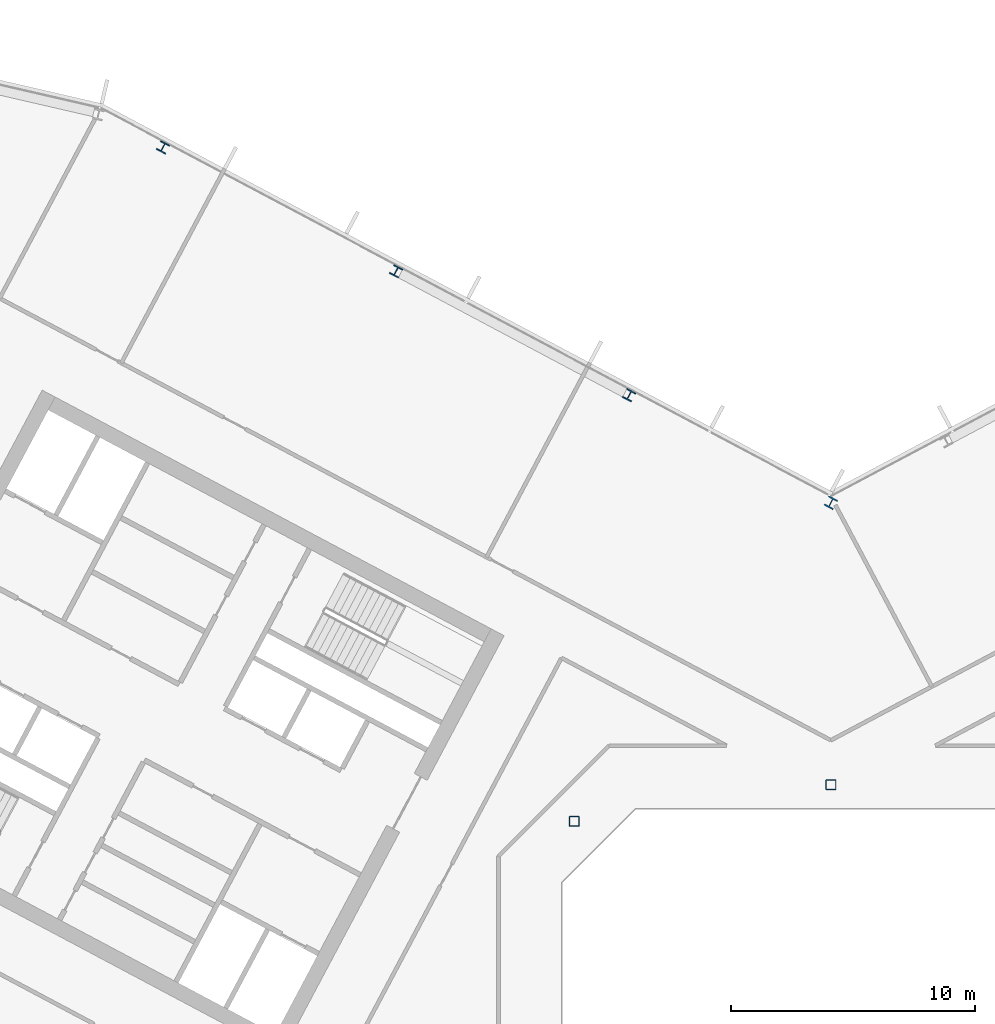
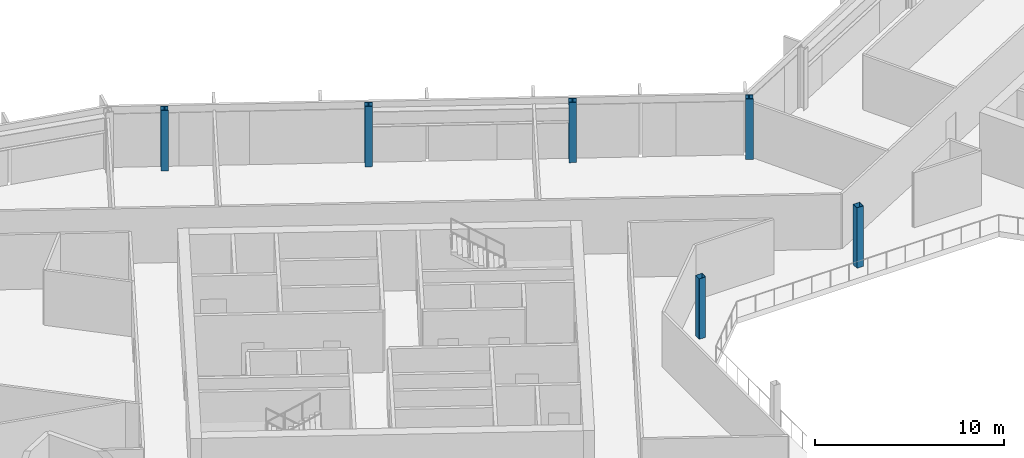
# One storey, part 4 of 27: 6 columns.
"""IFC4 building model written with IfcOpenShell, lengths in metres."""

from ifc_helpers import new_model, si_unit, direction, frame, origin, origin_2d, place, context, subcontext, project, spatial, hollow_rectangle, i_section, extrude, material, material_profile, profile_set, type_object, element, save


model = new_model("IFC4")

# Units and contexts
model_context = context("Model", 3, precision=1e-05, world=origin(), true_north=direction((0.0, 1.0)))
body_context = subcontext(model_context, "Body", "Model", "MODEL_VIEW")
ifc_project = project(units=[si_unit("LENGTHUNIT", "METRE"), si_unit("AREAUNIT", "SQUARE_METRE"), si_unit("VOLUMEUNIT", "CUBIC_METRE"), si_unit("PLANEANGLEUNIT", "RADIAN"), si_unit("MASSUNIT", "GRAM", prefix="KILO")], contexts=[model_context])

# Site, building, storey
site_placement = place(None, origin())
site = spatial("IfcSite", under=ifc_project, at=site_placement, CompositionType="ELEMENT")
building_placement = place(site_placement, origin())
building = spatial("IfcBuilding", under=site, at=building_placement, Name="Cormorant Relay Tower", CompositionType="ELEMENT")
storey_placement = place(building_placement, frame((0.0, 0.0, 224.699951171875)))
storey = spatial("IfcBuildingStorey", under=building, at=storey_placement, Name="L49", CompositionType="ELEMENT", Elevation=224.699951171875)

# Columns
ifc_material_1 = material(Name="Steel ASTM A500 Grade C (Fy 345 MPa)", Category="steel")
ifc_material_profile_1 = material_profile(ifc_material_1, hollow_rectangle(XDim=0.406494140625, YDim=0.406494140625, WallThickness=0.0146484375, InnerFilletRadius=0.00732421875, OuterFilletRadius=0.022216796875, at=origin_2d()), Name="HSS406x406x15")
ifc_profile_set_1 = profile_set([ifc_material_profile_1], Name="Steel ASTM A500 Grade C (Fy 345 MPa)")
column_type_1 = type_object("IfcColumnType", Name="Column HSS406x406x15", PredefinedType="COLUMN", material=ifc_profile_set_1)
for number, where, z_axis, x_axis, name in (
    (1, (-10.5, 10.5, 0.0), (0.0, 0.0, 1.0), (1.0, 0.0, 0.0), "Column L49-023"),
    (2, (0.0, 12.0, 0.0), (0.0, 0.0, 1.0), (1.0, 0.0, 0.0), "Column L49-025"),
):
    element("IfcColumn", number, at=place(storey_placement, frame(where, z_axis=z_axis, x_axis=x_axis)), inside=storey, type_object=column_type_1, Name=name, PredefinedType="COLUMN", context=body_context, shape_type="SweptSolid", body=[
        extrude(hollow_rectangle(XDim=0.406494140625, YDim=0.406494140625, WallThickness=0.0146484375, InnerFilletRadius=0.00732421875, OuterFilletRadius=0.022216796875, at=origin_2d()), origin(), (0.0, 0.0, 1.0), 3.900146484375),
    ])
ifc_material_2 = material(Name="Steel ASTM A992 (Fy 345 MPa)", Category="steel")
ifc_material_profile_2 = material_profile(ifc_material_2, i_section(OverallWidth=0.40380859375, OverallDepth=0.406494140625, WebThickness=0.027099609375, FlangeThickness=0.043701171875, FilletRadius=0.01513671875, at=origin_2d()), Name="W360x347")
ifc_profile_set_2 = profile_set([ifc_material_profile_2], Name="Steel ASTM A992 (Fy 345 MPa)")
column_type_2 = type_object("IfcColumnType", Name="Column W360x347", PredefinedType="COLUMN", material=ifc_profile_set_2)
for number, where, z_axis, x_axis, name in (
    (3, (-8.251953125, 27.93408203125, 0.0), (0.0, 0.0, 1.0), (-0.882947592859, 0.469471562786, 0.0), "Column L49-033"),
    (4, (-17.7880859375, 33.00390625, 0.0), (0.0, 0.0, 1.0), (-0.882947592859, 0.469471562786, 0.0), "Column L49-037"),
    (5, (-27.322998046875, 38.073974609375, 0.0), (0.0, 0.0, 1.0), (-0.882947592859, 0.469471562786, 0.0), "Column L49-040"),
):
    element("IfcColumn", number, at=place(storey_placement, frame(where, z_axis=z_axis, x_axis=x_axis)), inside=storey, type_object=column_type_2, Name=name, PredefinedType="COLUMN", context=body_context, shape_type="SweptSolid", body=[
        extrude(i_section(OverallWidth=0.40380859375, OverallDepth=0.406494140625, WebThickness=0.027099609375, FlangeThickness=0.043701171875, FilletRadius=0.01513671875, at=origin_2d()), origin(), (0.0, 0.0, 1.0), 3.900146484375),
    ])
ifc_material_3 = material(Name="Steel ASTM A992 (Fy 345 MPa)", Category="steel")
ifc_material_profile_3 = material_profile(ifc_material_3, i_section(OverallWidth=0.41162109375, OverallDepth=0.434326171875, WebThickness=0.035888671875, FlangeThickness=0.057373046875, FilletRadius=0.01513671875, at=origin_2d()), Name="W360x463")
ifc_profile_set_3 = profile_set([ifc_material_profile_3], Name="Steel ASTM A992 (Fy 345 MPa)")
column_type_3 = type_object("IfcColumnType", Name="Column W360x463", PredefinedType="COLUMN", material=ifc_profile_set_3)
column_placement = place(storey_placement, frame((0.0, 23.533935546875, 0.0), z_axis=(0.0, 0.0, 1.0), x_axis=(-0.882947592859, 0.469471562786, 0.0)))
element("IfcColumn", 6, at=column_placement, inside=storey, type_object=column_type_3, Name="Column L49-030", PredefinedType="COLUMN", context=body_context, shape_type="SweptSolid", body=[
    extrude(i_section(OverallWidth=0.41162109375, OverallDepth=0.434326171875, WebThickness=0.035888671875, FlangeThickness=0.057373046875, FilletRadius=0.01513671875, at=origin_2d()), origin(), (0.0, 0.0, 1.0), 3.900146484375),
])

save(model, "model.ifc")
